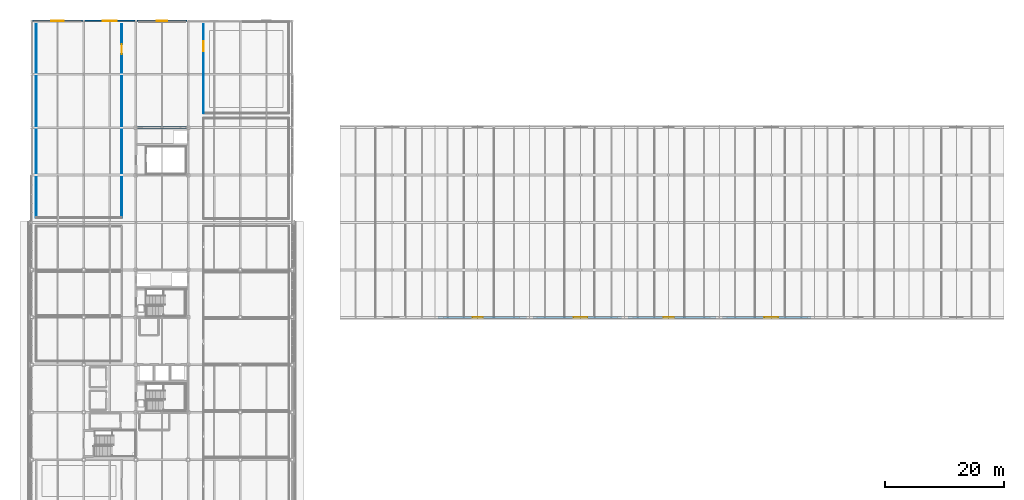
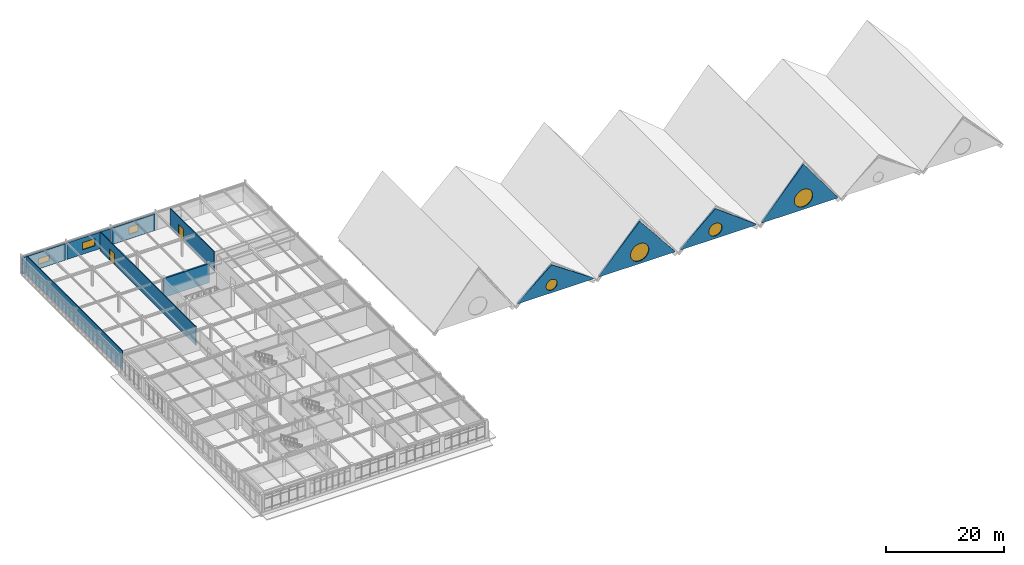
# One storey, part 56 of 64: 11 walls, 7 windows, 2 doors, 9 openings.
"""IFC4 building model written with IfcOpenShell, lengths in metres."""

from ifc_helpers import new_model, si_unit, direction, frame, frame_2d, origin, place, context, subcontext, project, spatial, polyline, rectangle, outline, extrude, material, layer, layer_set, type_object, element, fill, save


model = new_model("IFC4")

# Units and contexts
model_context = context("Model", 3, precision=1e-05, world=origin(), true_north=direction((0.0, 1.0)))
body_context = subcontext(model_context, "Body", "Model", "MODEL_VIEW")
ifc_project = project(units=[si_unit("LENGTHUNIT", "METRE"), si_unit("AREAUNIT", "SQUARE_METRE"), si_unit("VOLUMEUNIT", "CUBIC_METRE"), si_unit("PLANEANGLEUNIT", "RADIAN"), si_unit("MASSUNIT", "GRAM", prefix="KILO")], contexts=[model_context])

# Site, building, storey
site_placement = place(None, origin())
site = spatial("IfcSite", under=ifc_project, at=site_placement, CompositionType="ELEMENT")
building_placement = place(site_placement, origin())
building = spatial("IfcBuilding", under=site, at=building_placement, Name="Zhaolan Boulevard Law Courts", CompositionType="ELEMENT")
storey_placement = place(building_placement, frame((0.0, 0.0, 20.39990234375)))
storey = spatial("IfcBuildingStorey", under=building, at=storey_placement, Name="L04", CompositionType="ELEMENT", Elevation=20.39990234375)

# Wall
ifc_material_1 = material(Name="Concrete C50", Category="concrete")
ifc_layer_1 = layer(ifc_material_1, 0.300048828125)
ifc_layer_set_1 = layer_set([ifc_layer_1])
wall_type_1 = type_object("IfcWallType", Name="CORE SHEAR WALL 300", PredefinedType="SHEAR", material=ifc_layer_set_1)
wall_1_placement = place(storey_placement, frame((26.550048828125, 94.0, 0.0), z_axis=(0.0, 0.0, 1.0), x_axis=(-1.0, 0.0, 0.0)))
element("IfcWall", 1, at=wall_1_placement, inside=storey, type_object=wall_type_1, Name="Core Shear Wall CW-L1-L04N", PredefinedType="SHEAR", context=body_context, shape_type="SweptSolid", body=[
    extrude(rectangle(XDim=9.10009765625, YDim=0.300048828125, at=frame_2d((4.550048828125, 0.0))), origin(), (0.0, 0.0, 1.0), 3.920166015625),
])

# Wall, opening, window
ifc_material_2 = material(Name="Concrete C40", Category="concrete")
ifc_layer_2 = layer(ifc_material_2, 0.280029296875)
ifc_layer_set_2 = layer_set([ifc_layer_2])
wall_type_2 = type_object("IfcWallType", Name="EXT WALL CONCRETE280", PredefinedType="SOLIDWALL", material=ifc_layer_set_2)
wall_2_placement = place(storey_placement, frame((8.654052734375, 112.0, 0.0), z_axis=(0.0, 0.0, 1.0), x_axis=(-1.0, 0.0, 0.0)))
wall_2 = element("IfcWall", 2, at=wall_2_placement, inside=storey, type_object=wall_type_2, Name="Exterior Wall EW-L04-360", PredefinedType="SOLIDWALL", context=body_context, shape_type="SweptSolid", body=[
    extrude(rectangle(XDim=8.508056640625, YDim=0.280029296875, at=frame_2d((4.25390625, 0.0))), origin(), (0.0, 0.0, 1.0), 3.423095703125),
])
opening_1_placement = place(wall_2_placement, frame((3.2041015625, 0.0, 0.949951171875)))
opening_1 = element("IfcOpeningElement", 3, at=opening_1_placement, cuts=wall_2, Name="Opening WIN-L04-213", PredefinedType="OPENING", context=body_context, shape_type="SweptSolid", body=[
    extrude(rectangle(XDim=2.10009765625, YDim=1.199951171875, at=frame_2d((1.050048828125, 0.60009765625))), frame((0.0, 0.14990234375, 0.0), z_axis=(0.0, -1.0, 0.0), x_axis=(1.0, 0.0, 0.0)), (0.0, 0.0, 1.0), 0.300048828125),
])
ifc_material_3 = material(Name="Thermally broken aluminium and low-E glazing", Category="aluminium")
window_type_1 = type_object("IfcWindowType", Name="WINDOW 2100X1200", PartitioningType="DOUBLE_PANEL_VERTICAL", PredefinedType="WINDOW", material=ifc_material_3)
window_1_placement = place(opening_1_placement, origin())
window_1 = element("IfcWindow", 4, at=window_1_placement, inside=storey, type_object=window_type_1, Name="Exterior Window WIN-L04-213", OverallHeight=1.199951171875, OverallWidth=2.10009765625, PartitioningType="SINGLE_PANEL", PredefinedType="WINDOW", context=body_context, shape_type="SweptSolid", body=[
    extrude(rectangle(XDim=2.10009765625, YDim=1.199951171875, at=frame_2d((1.050048828125, 0.60009765625))), frame((0.0, 0.030029296875, 0.0), z_axis=(0.0, -1.0, 0.0), x_axis=(1.0, 0.0, 0.0)), (0.0, 0.0, 1.0), 0.06005859375),
])
fill(opening_1, window_1)

wall_3_placement = place(storey_placement, frame((17.4541015625, 112.0, 0.0), z_axis=(0.0, 0.0, 1.0), x_axis=(-1.0, 0.0, 0.0)))
wall_3 = element("IfcWall", 5, at=wall_3_placement, inside=storey, type_object=wall_type_2, Name="Exterior Wall EW-L04-361", PredefinedType="SOLIDWALL", context=body_context, shape_type="SweptSolid", body=[
    extrude(rectangle(XDim=8.508056640625, YDim=0.280029296875, at=frame_2d((4.25390625, 0.0))), origin(), (0.0, 0.0, 1.0), 3.423095703125),
])
opening_2_placement = place(wall_3_placement, frame((3.053955078125, 0.0, 0.949951171875)))
opening_2 = element("IfcOpeningElement", 6, at=opening_2_placement, cuts=wall_3, Name="Opening WIN-L04-214", PredefinedType="OPENING", context=body_context, shape_type="SweptSolid", body=[
    extrude(rectangle(XDim=2.39990234375, YDim=1.5, at=frame_2d((1.199951171875, 0.75))), frame((0.0, 0.14990234375, 0.0), z_axis=(0.0, -1.0, 0.0), x_axis=(1.0, 0.0, 0.0)), (0.0, 0.0, 1.0), 0.300048828125),
])
ifc_material_4 = material(Name="Thermally broken aluminium and low-E glazing", Category="aluminium")
window_type_2 = type_object("IfcWindowType", Name="WINDOW 2400X1500", PartitioningType="DOUBLE_PANEL_VERTICAL", PredefinedType="WINDOW", material=ifc_material_4)
window_2_placement = place(opening_2_placement, origin())
window_2 = element("IfcWindow", 7, at=window_2_placement, inside=storey, type_object=window_type_2, Name="Exterior Window WIN-L04-214", OverallHeight=1.5, OverallWidth=2.39990234375, PartitioningType="SINGLE_PANEL", PredefinedType="WINDOW", context=body_context, shape_type="SweptSolid", body=[
    extrude(rectangle(XDim=2.39990234375, YDim=1.5, at=frame_2d((1.199951171875, 0.75))), frame((0.0, 0.030029296875, 0.0), z_axis=(0.0, -1.0, 0.0), x_axis=(1.0, 0.0, 0.0)), (0.0, 0.0, 1.0), 0.06005859375),
])
fill(opening_2, window_2)

wall_4_placement = place(storey_placement, frame((26.25390625, 112.0, 0.0), z_axis=(0.0, 0.0, 1.0), x_axis=(-1.0, 0.0, 0.0)))
wall_4 = element("IfcWall", 8, at=wall_4_placement, inside=storey, type_object=wall_type_2, Name="Exterior Wall EW-L04-362", PredefinedType="SOLIDWALL", context=body_context, shape_type="SweptSolid", body=[
    extrude(rectangle(XDim=8.5078125, YDim=0.280029296875, at=frame_2d((4.25390625, 0.0))), origin(), (0.0, 0.0, 1.0), 3.423095703125),
])
opening_3_placement = place(wall_4_placement, frame((3.35400390625, 0.0, 0.949951171875)))
opening_3 = element("IfcOpeningElement", 9, at=opening_3_placement, cuts=wall_4, Name="Opening WIN-L04-215", PredefinedType="OPENING", context=body_context, shape_type="SweptSolid", body=[
    extrude(rectangle(XDim=1.800048828125, YDim=1.5, at=frame_2d((0.89990234375, 0.75))), frame((0.0, 0.14990234375, 0.0), z_axis=(0.0, -1.0, 0.0), x_axis=(1.0, 0.0, 0.0)), (0.0, 0.0, 1.0), 0.300048828125),
])
ifc_material_5 = material(Name="Thermally broken aluminium and low-E glazing", Category="aluminium")
window_type_3 = type_object("IfcWindowType", Name="WINDOW 1800X1500", PartitioningType="DOUBLE_PANEL_VERTICAL", PredefinedType="WINDOW", material=ifc_material_5)
window_3_placement = place(opening_3_placement, origin())
window_3 = element("IfcWindow", 10, at=window_3_placement, inside=storey, type_object=window_type_3, Name="Exterior Window WIN-L04-215", OverallHeight=1.5, OverallWidth=1.800048828125, PartitioningType="SINGLE_PANEL", PredefinedType="WINDOW", context=body_context, shape_type="SweptSolid", body=[
    extrude(rectangle(XDim=1.800048828125, YDim=1.5, at=frame_2d((0.89990234375, 0.75))), frame((0.0, 0.030029296875, 0.0), z_axis=(0.0, -1.0, 0.0), x_axis=(1.0, 0.0, 0.0)), (0.0, 0.0, 1.0), 0.06005859375),
])
fill(opening_3, window_3)

ifc_material_6 = material(Name="Concrete C40", Category="concrete")
ifc_layer_3 = layer(ifc_material_6, 0.340087890625)
ifc_layer_set_3 = layer_set([ifc_layer_3])
wall_type_3 = type_object("IfcWallType", Name="EXT WALL GABLE340", PredefinedType="SOLIDWALL", material=ifc_layer_set_3)
wall_5_placement = place(storey_placement, frame((68.550048828125, 62.0, 0.22021484375), z_axis=(0.0, 0.0, 1.0), x_axis=(1.0, 0.0, 0.0)))
wall_5 = element("IfcWall", 11, at=wall_5_placement, inside=storey, type_object=wall_type_3, Name="Sculpted Concrete Gable Wall GW-T2S", PredefinedType="SOLIDWALL", context=body_context, shape_type="SweptSolid", body=[
    extrude(outline(polyline([(0.0, 0.0), (14.89990234375, 0.0), (14.89990234375, 0.199951171875), (6.705078125, 5.7998046875), (0.0, 0.199951171875), (0.0, 0.0)])), frame((0.0, 0.169921875, 0.0), z_axis=(0.0, -1.0, 0.0), x_axis=(1.0, 0.0, 0.0)), (0.0, 0.0, 1.0), 0.340087890625),
])
opening_4_placement = place(wall_5_placement, frame((5.60498046875, 0.0, 0.550048828125)))
opening_4 = element("IfcOpeningElement", 12, at=opening_4_placement, cuts=wall_5, Name="Opening OC-T2S", PredefinedType="OPENING", context=body_context, shape_type="SweptSolid", body=[
    extrude(outline(polyline([(2.199951171875, 1.10009765625), (2.183349609375, 1.291015625), (2.133544921875, 1.476318359375), (2.052734375, 1.64990234375), (1.942626953125, 1.80712890625), (1.80712890625, 1.942626953125), (1.64990234375, 2.052734375), (1.476318359375, 2.133544921875), (1.291015625, 2.183349609375), (1.10009765625, 2.199951171875), (0.908935546875, 2.183349609375), (0.723876953125, 2.133544921875), (0.550048828125, 2.052734375), (0.392822265625, 1.942626953125), (0.25732421875, 1.80712890625), (0.1474609375, 1.64990234375), (0.06640625, 1.476318359375), (0.0166015625, 1.291015625), (0.0, 1.10009765625), (0.0166015625, 0.908935546875), (0.06640625, 0.723876953125), (0.1474609375, 0.550048828125), (0.25732421875, 0.392822265625), (0.392822265625, 0.25732421875), (0.550048828125, 0.1474609375), (0.723876953125, 0.06640625), (0.908935546875, 0.0166015625), (1.10009765625, 0.0), (1.291015625, 0.0166015625), (1.476318359375, 0.06640625), (1.64990234375, 0.1474609375), (1.80712890625, 0.25732421875), (1.942626953125, 0.392822265625), (2.052734375, 0.550048828125), (2.133544921875, 0.723876953125), (2.183349609375, 0.908935546875), (2.199951171875, 1.10009765625)])), frame((0.0, 0.179931640625, 0.0), z_axis=(0.0, -1.0, 0.0), x_axis=(1.0, 0.0, 0.0)), (0.0, 0.0, 1.0), 0.360107421875),
])
ifc_material_7 = material(Name="Thermally broken aluminium and laminated low-E glass", Category="aluminium")
window_type_4 = type_object("IfcWindowType", Name="OCULUS WINDOW D2200", PartitioningType="SINGLE_PANEL", PredefinedType="WINDOW", material=ifc_material_7)
window_4_placement = place(opening_4_placement, origin())
window_4 = element("IfcWindow", 13, at=window_4_placement, inside=storey, type_object=window_type_4, Name="Circular Gable Oculus Window OC-T2S", OverallHeight=2.199951171875, OverallWidth=2.199951171875, PartitioningType="SINGLE_PANEL", PredefinedType="WINDOW", context=body_context, shape_type="SweptSolid", body=[
    extrude(outline(polyline([(2.199951171875, 1.10009765625), (2.183349609375, 1.291015625), (2.133544921875, 1.476318359375), (2.052734375, 1.64990234375), (1.942626953125, 1.80712890625), (1.80712890625, 1.942626953125), (1.64990234375, 2.052734375), (1.476318359375, 2.133544921875), (1.291015625, 2.183349609375), (1.10009765625, 2.199951171875), (0.908935546875, 2.183349609375), (0.723876953125, 2.133544921875), (0.550048828125, 2.052734375), (0.392822265625, 1.942626953125), (0.25732421875, 1.80712890625), (0.1474609375, 1.64990234375), (0.06640625, 1.476318359375), (0.0166015625, 1.291015625), (0.0, 1.10009765625), (0.0166015625, 0.908935546875), (0.06640625, 0.723876953125), (0.1474609375, 0.550048828125), (0.25732421875, 0.392822265625), (0.392822265625, 0.25732421875), (0.550048828125, 0.1474609375), (0.723876953125, 0.06640625), (0.908935546875, 0.0166015625), (1.10009765625, 0.0), (1.291015625, 0.0166015625), (1.476318359375, 0.06640625), (1.64990234375, 0.1474609375), (1.80712890625, 0.25732421875), (1.942626953125, 0.392822265625), (2.052734375, 0.550048828125), (2.133544921875, 0.723876953125), (2.183349609375, 0.908935546875), (2.199951171875, 1.10009765625)])), frame((0.0, 0.0400390625, 0.0), z_axis=(0.0, -1.0, 0.0), x_axis=(1.0, 0.0, 0.0)), (0.0, 0.0, 1.0), 0.080078125),
])
fill(opening_4, window_4)

wall_6_placement = place(storey_placement, frame((84.550048828125, 62.0, 0.22021484375), z_axis=(0.0, 0.0, 1.0), x_axis=(1.0, 0.0, 0.0)))
wall_6 = element("IfcWall", 14, at=wall_6_placement, inside=storey, type_object=wall_type_3, Name="Sculpted Concrete Gable Wall GW-T3S", PredefinedType="SOLIDWALL", context=body_context, shape_type="SweptSolid", body=[
    extrude(outline(polyline([(0.0, 0.0), (14.89990234375, 0.0), (14.89990234375, 0.199951171875), (8.009033203125, 8.7998046875), (0.0, 0.199951171875), (0.0, 0.0)])), frame((0.0, 0.169921875, 0.0), z_axis=(0.0, -1.0, 0.0), x_axis=(1.0, 0.0, 0.0)), (0.0, 0.0, 1.0), 0.340087890625),
])
opening_5_placement = place(wall_6_placement, frame((6.208984375, 0.0, 0.550048828125)))
opening_5 = element("IfcOpeningElement", 15, at=opening_5_placement, cuts=wall_6, Name="Opening OC-T3S", PredefinedType="OPENING", context=body_context, shape_type="SweptSolid", body=[
    extrude(outline(polyline([(3.60009765625, 1.800048828125), (3.57275390625, 2.112548828125), (3.491455078125, 2.41552734375), (3.35888671875, 2.699951171875), (3.178955078125, 2.95703125), (2.95703125, 3.178955078125), (2.699951171875, 3.35888671875), (2.41552734375, 3.491455078125), (2.112548828125, 3.57275390625), (1.800048828125, 3.60009765625), (1.487548828125, 3.57275390625), (1.184326171875, 3.491455078125), (0.89990234375, 3.35888671875), (0.64306640625, 3.178955078125), (0.421142578125, 2.95703125), (0.2412109375, 2.699951171875), (0.108642578125, 2.41552734375), (0.02734375, 2.112548828125), (0.0, 1.800048828125), (0.02734375, 1.487548828125), (0.108642578125, 1.184326171875), (0.2412109375, 0.89990234375), (0.421142578125, 0.64306640625), (0.64306640625, 0.421142578125), (0.89990234375, 0.2412109375), (1.184326171875, 0.108642578125), (1.487548828125, 0.02734375), (1.800048828125, 0.0), (2.112548828125, 0.02734375), (2.41552734375, 0.108642578125), (2.699951171875, 0.2412109375), (2.95703125, 0.421142578125), (3.178955078125, 0.64306640625), (3.35888671875, 0.89990234375), (3.491455078125, 1.184326171875), (3.57275390625, 1.487548828125), (3.60009765625, 1.800048828125)])), frame((0.0, 0.179931640625, 0.0), z_axis=(0.0, -1.0, 0.0), x_axis=(1.0, 0.0, 0.0)), (0.0, 0.0, 1.0), 0.360107421875),
])
ifc_material_8 = material(Name="Thermally broken aluminium and laminated low-E glass", Category="aluminium")
window_type_5 = type_object("IfcWindowType", Name="OCULUS WINDOW D3600", PartitioningType="SINGLE_PANEL", PredefinedType="WINDOW", material=ifc_material_8)
window_5_placement = place(opening_5_placement, origin())
window_5 = element("IfcWindow", 16, at=window_5_placement, inside=storey, type_object=window_type_5, Name="Circular Gable Oculus Window OC-T3S", OverallHeight=3.60009765625, OverallWidth=3.60009765625, PartitioningType="SINGLE_PANEL", PredefinedType="WINDOW", context=body_context, shape_type="SweptSolid", body=[
    extrude(outline(polyline([(3.60009765625, 1.800048828125), (3.57275390625, 2.112548828125), (3.491455078125, 2.41552734375), (3.35888671875, 2.699951171875), (3.178955078125, 2.95703125), (2.95703125, 3.178955078125), (2.699951171875, 3.35888671875), (2.41552734375, 3.491455078125), (2.112548828125, 3.57275390625), (1.800048828125, 3.60009765625), (1.487548828125, 3.57275390625), (1.184326171875, 3.491455078125), (0.89990234375, 3.35888671875), (0.64306640625, 3.178955078125), (0.421142578125, 2.95703125), (0.2412109375, 2.699951171875), (0.108642578125, 2.41552734375), (0.02734375, 2.112548828125), (0.0, 1.800048828125), (0.02734375, 1.487548828125), (0.108642578125, 1.184326171875), (0.2412109375, 0.89990234375), (0.421142578125, 0.64306640625), (0.64306640625, 0.421142578125), (0.89990234375, 0.2412109375), (1.184326171875, 0.108642578125), (1.487548828125, 0.02734375), (1.800048828125, 0.0), (2.112548828125, 0.02734375), (2.41552734375, 0.108642578125), (2.699951171875, 0.2412109375), (2.95703125, 0.421142578125), (3.178955078125, 0.64306640625), (3.35888671875, 0.89990234375), (3.491455078125, 1.184326171875), (3.57275390625, 1.487548828125), (3.60009765625, 1.800048828125)])), frame((0.0, 0.0400390625, 0.0), z_axis=(0.0, -1.0, 0.0), x_axis=(1.0, 0.0, 0.0)), (0.0, 0.0, 1.0), 0.080078125),
])
fill(opening_5, window_5)

wall_7_placement = place(storey_placement, frame((100.550048828125, 62.0, 0.22021484375), z_axis=(0.0, 0.0, 1.0), x_axis=(1.0, 0.0, 0.0)))
wall_7 = element("IfcWall", 17, at=wall_7_placement, inside=storey, type_object=wall_type_3, Name="Sculpted Concrete Gable Wall GW-T4S", PredefinedType="SOLIDWALL", context=body_context, shape_type="SweptSolid", body=[
    extrude(outline(polyline([(0.0, 0.0), (14.89990234375, 0.0), (14.89990234375, 0.199951171875), (6.89111328125, 6.199951171875), (0.0, 0.199951171875), (0.0, 0.0)])), frame((0.0, 0.169921875, 0.0), z_axis=(0.0, -1.0, 0.0), x_axis=(1.0, 0.0, 0.0)), (0.0, 0.0, 1.0), 0.340087890625),
])
opening_6_placement = place(wall_7_placement, frame((5.591064453125, 0.0, 0.550048828125)))
opening_6 = element("IfcOpeningElement", 18, at=opening_6_placement, cuts=wall_7, Name="Opening OC-T4S", PredefinedType="OPENING", context=body_context, shape_type="SweptSolid", body=[
    extrude(outline(polyline([(2.60009765625, 1.300048828125), (2.580322265625, 1.525634765625), (2.521484375, 1.74462890625), (2.42578125, 1.949951171875), (2.2958984375, 2.1357421875), (2.1357421875, 2.2958984375), (1.949951171875, 2.42578125), (1.74462890625, 2.521484375), (1.525634765625, 2.580322265625), (1.300048828125, 2.60009765625), (1.07421875, 2.580322265625), (0.85546875, 2.521484375), (0.64990234375, 2.42578125), (0.46435546875, 2.2958984375), (0.30419921875, 2.1357421875), (0.174072265625, 1.949951171875), (0.078369140625, 1.74462890625), (0.019775390625, 1.525634765625), (0.0, 1.300048828125), (0.019775390625, 1.07421875), (0.078369140625, 0.85546875), (0.174072265625, 0.64990234375), (0.30419921875, 0.46435546875), (0.46435546875, 0.30419921875), (0.64990234375, 0.174072265625), (0.85546875, 0.078369140625), (1.07421875, 0.019775390625), (1.300048828125, 0.0), (1.525634765625, 0.019775390625), (1.74462890625, 0.078369140625), (1.949951171875, 0.174072265625), (2.1357421875, 0.30419921875), (2.2958984375, 0.46435546875), (2.42578125, 0.64990234375), (2.521484375, 0.85546875), (2.580322265625, 1.07421875), (2.60009765625, 1.300048828125)])), frame((0.0, 0.179931640625, 0.0), z_axis=(0.0, -1.0, 0.0), x_axis=(1.0, 0.0, 0.0)), (0.0, 0.0, 1.0), 0.360107421875),
])
ifc_material_9 = material(Name="Thermally broken aluminium and laminated low-E glass", Category="aluminium")
window_type_6 = type_object("IfcWindowType", Name="OCULUS WINDOW D2600", PartitioningType="SINGLE_PANEL", PredefinedType="WINDOW", material=ifc_material_9)
window_6_placement = place(opening_6_placement, origin())
window_6 = element("IfcWindow", 19, at=window_6_placement, inside=storey, type_object=window_type_6, Name="Circular Gable Oculus Window OC-T4S", OverallHeight=2.60009765625, OverallWidth=2.60009765625, PartitioningType="SINGLE_PANEL", PredefinedType="WINDOW", context=body_context, shape_type="SweptSolid", body=[
    extrude(outline(polyline([(2.60009765625, 1.300048828125), (2.580322265625, 1.525634765625), (2.521484375, 1.74462890625), (2.42578125, 1.949951171875), (2.2958984375, 2.1357421875), (2.1357421875, 2.2958984375), (1.949951171875, 2.42578125), (1.74462890625, 2.521484375), (1.525634765625, 2.580322265625), (1.300048828125, 2.60009765625), (1.07421875, 2.580322265625), (0.85546875, 2.521484375), (0.64990234375, 2.42578125), (0.46435546875, 2.2958984375), (0.30419921875, 2.1357421875), (0.174072265625, 1.949951171875), (0.078369140625, 1.74462890625), (0.019775390625, 1.525634765625), (0.0, 1.300048828125), (0.019775390625, 1.07421875), (0.078369140625, 0.85546875), (0.174072265625, 0.64990234375), (0.30419921875, 0.46435546875), (0.46435546875, 0.30419921875), (0.64990234375, 0.174072265625), (0.85546875, 0.078369140625), (1.07421875, 0.019775390625), (1.300048828125, 0.0), (1.525634765625, 0.019775390625), (1.74462890625, 0.078369140625), (1.949951171875, 0.174072265625), (2.1357421875, 0.30419921875), (2.2958984375, 0.46435546875), (2.42578125, 0.64990234375), (2.521484375, 0.85546875), (2.580322265625, 1.07421875), (2.60009765625, 1.300048828125)])), frame((0.0, 0.0400390625, 0.0), z_axis=(0.0, -1.0, 0.0), x_axis=(1.0, 0.0, 0.0)), (0.0, 0.0, 1.0), 0.080078125),
])
fill(opening_6, window_6)

wall_8_placement = place(storey_placement, frame((116.550048828125, 62.0, 0.22021484375), z_axis=(0.0, 0.0, 1.0), x_axis=(1.0, 0.0, 0.0)))
wall_8 = element("IfcWall", 20, at=wall_8_placement, inside=storey, type_object=wall_type_3, Name="Sculpted Concrete Gable Wall GW-T5S", PredefinedType="SOLIDWALL", context=body_context, shape_type="SweptSolid", body=[
    extrude(outline(polyline([(0.0, 0.0), (14.89990234375, 0.0), (14.89990234375, 0.199951171875), (8.195068359375, 9.39990234375), (0.0, 0.199951171875), (0.0, 0.0)])), frame((0.0, 0.169921875, 0.0), z_axis=(0.0, -1.0, 0.0), x_axis=(1.0, 0.0, 0.0)), (0.0, 0.0, 1.0), 0.340087890625),
])
opening_7_placement = place(wall_8_placement, frame((6.39501953125, 0.0, 0.550048828125)))
opening_7 = element("IfcOpeningElement", 21, at=opening_7_placement, cuts=wall_8, Name="Opening OC-T5S", PredefinedType="OPENING", context=body_context, shape_type="SweptSolid", body=[
    extrude(outline(polyline([(3.60009765625, 1.800048828125), (3.57275390625, 2.112548828125), (3.491455078125, 2.41552734375), (3.35888671875, 2.699951171875), (3.178955078125, 2.95703125), (2.95703125, 3.178955078125), (2.699951171875, 3.35888671875), (2.41552734375, 3.491455078125), (2.112548828125, 3.57275390625), (1.800048828125, 3.60009765625), (1.487548828125, 3.57275390625), (1.184326171875, 3.491455078125), (0.89990234375, 3.35888671875), (0.64306640625, 3.178955078125), (0.421142578125, 2.95703125), (0.2412109375, 2.699951171875), (0.108642578125, 2.41552734375), (0.02734375, 2.112548828125), (0.0, 1.800048828125), (0.02734375, 1.487548828125), (0.108642578125, 1.184326171875), (0.2412109375, 0.89990234375), (0.421142578125, 0.64306640625), (0.64306640625, 0.421142578125), (0.89990234375, 0.2412109375), (1.184326171875, 0.108642578125), (1.487548828125, 0.02734375), (1.800048828125, 0.0), (2.112548828125, 0.02734375), (2.41552734375, 0.108642578125), (2.699951171875, 0.2412109375), (2.95703125, 0.421142578125), (3.178955078125, 0.64306640625), (3.35888671875, 0.89990234375), (3.491455078125, 1.184326171875), (3.57275390625, 1.487548828125), (3.60009765625, 1.800048828125)])), frame((0.0, 0.179931640625, 0.0), z_axis=(0.0, -1.0, 0.0), x_axis=(1.0, 0.0, 0.0)), (0.0, 0.0, 1.0), 0.360107421875),
])
window_7_placement = place(opening_7_placement, origin())
window_7 = element("IfcWindow", 22, at=window_7_placement, inside=storey, type_object=window_type_5, Name="Circular Gable Oculus Window OC-T5S", OverallHeight=3.60009765625, OverallWidth=3.60009765625, PartitioningType="SINGLE_PANEL", PredefinedType="WINDOW", context=body_context, shape_type="SweptSolid", body=[
    extrude(outline(polyline([(3.60009765625, 1.800048828125), (3.57275390625, 2.112548828125), (3.491455078125, 2.41552734375), (3.35888671875, 2.699951171875), (3.178955078125, 2.95703125), (2.95703125, 3.178955078125), (2.699951171875, 3.35888671875), (2.41552734375, 3.491455078125), (2.112548828125, 3.57275390625), (1.800048828125, 3.60009765625), (1.487548828125, 3.57275390625), (1.184326171875, 3.491455078125), (0.89990234375, 3.35888671875), (0.64306640625, 3.178955078125), (0.421142578125, 2.95703125), (0.2412109375, 2.699951171875), (0.108642578125, 2.41552734375), (0.02734375, 2.112548828125), (0.0, 1.800048828125), (0.02734375, 1.487548828125), (0.108642578125, 1.184326171875), (0.2412109375, 0.89990234375), (0.421142578125, 0.64306640625), (0.64306640625, 0.421142578125), (0.89990234375, 0.2412109375), (1.184326171875, 0.108642578125), (1.487548828125, 0.02734375), (1.800048828125, 0.0), (2.112548828125, 0.02734375), (2.41552734375, 0.108642578125), (2.699951171875, 0.2412109375), (2.95703125, 0.421142578125), (3.178955078125, 0.64306640625), (3.35888671875, 0.89990234375), (3.491455078125, 1.184326171875), (3.57275390625, 1.487548828125), (3.60009765625, 1.800048828125)])), frame((0.0, 0.0400390625, 0.0), z_axis=(0.0, -1.0, 0.0), x_axis=(1.0, 0.0, 0.0)), (0.0, 0.0, 1.0), 0.080078125),
])
fill(opening_7, window_7)

# Wall
ifc_material_10 = material(Name="Fire-rated gypsum stud partition")
ifc_layer_4 = layer(ifc_material_10, 0.159912109375)
ifc_layer_set_4 = layer_set([ifc_layer_4])
wall_type_4 = type_object("IfcWallType", Name="PART WALL CHAMB160", PredefinedType="PARTITIONING", material=ifc_layer_set_4)
wall_9_placement = place(storey_placement, frame((0.800048828125, 111.39990234375, 0.0), z_axis=(0.0, 0.0, 1.0), x_axis=(0.0, -1.0, 0.0)))
element("IfcWall", 23, at=wall_9_placement, inside=storey, type_object=wall_type_4, Name="Interior Partition PW-L04-581", PredefinedType="PARTITIONING", context=body_context, shape_type="SweptSolid", body=[
    extrude(rectangle(XDim=32.599853515625, YDim=0.159912109375, at=frame_2d((16.2998046875, 0.0))), origin(), (0.0, 0.0, 1.0), 3.920166015625),
])

# Wall, opening, door
wall_10_placement = place(storey_placement, frame((15.199951171875, 78.800048828125, 0.0), z_axis=(0.0, 0.0, 1.0), x_axis=(0.0, 1.0, 0.0)))
wall_10 = element("IfcWall", 24, at=wall_10_placement, inside=storey, type_object=wall_type_4, Name="Interior Partition PW-L04-582", PredefinedType="PARTITIONING", context=body_context, shape_type="SweptSolid", body=[
    extrude(rectangle(XDim=32.599853515625, YDim=0.159912109375, at=frame_2d((16.2998046875, 0.0))), origin(), (0.0, 0.0, 1.0), 3.920166015625),
])
opening_8_placement = place(wall_10_placement, frame((27.570068359375, 0.0, 0.0)))
opening_8 = element("IfcOpeningElement", 25, at=opening_8_placement, cuts=wall_10, Name="Opening ID-L04-181", PredefinedType="OPENING", context=body_context, shape_type="SweptSolid", body=[
    extrude(rectangle(XDim=1.699951171875, YDim=2.300048828125, at=frame_2d((0.85009765625, 1.14990234375))), frame((0.0, 0.08984375, 0.0), z_axis=(0.0, -1.0, 0.0), x_axis=(1.0, 0.0, 0.0)), (0.0, 0.0, 1.0), 0.179931640625),
])
ifc_material_11 = material(Name="Solid-core acoustic oak veneer door")
door_type = type_object("IfcDoorType", Name="LIB DOUBLE 1700X2300", OperationType="DOUBLE_DOOR_SINGLE_SWING", PredefinedType="DOOR", material=ifc_material_11)
door_1_placement = place(opening_8_placement, origin())
door_1 = element("IfcDoor", 26, at=door_1_placement, inside=storey, type_object=door_type, Name="Door ID-L04-181 (Law Library Gable Scholar Hall)", OperationType="DOUBLE_DOOR_SINGLE_SWING", OverallHeight=2.300048828125, OverallWidth=1.699951171875, PredefinedType="DOOR", context=body_context, shape_type="SweptSolid", body=[
    extrude(rectangle(XDim=1.699951171875, YDim=2.300048828125, at=frame_2d((0.85009765625, 1.14990234375))), frame((0.0, 0.02490234375, 0.0), z_axis=(0.0, -1.0, 0.0), x_axis=(1.0, 0.0, 0.0)), (0.0, 0.0, 1.0), 0.050048828125),
])
fill(opening_8, door_1)

wall_11_placement = place(storey_placement, frame((29.0, 111.39990234375, 0.0), z_axis=(0.0, 0.0, 1.0), x_axis=(0.0, -1.0, 0.0)))
wall_11 = element("IfcWall", 27, at=wall_11_placement, inside=storey, type_object=wall_type_4, Name="Interior Partition PW-L04-588", PredefinedType="PARTITIONING", context=body_context, shape_type="SweptSolid", body=[
    extrude(rectangle(XDim=15.0, YDim=0.159912109375, at=frame_2d((7.5, 0.0))), origin(), (0.0, 0.0, 1.0), 3.920166015625),
])
opening_9_placement = place(wall_11_placement, frame((2.840087890625, 0.0, 0.0)))
opening_9 = element("IfcOpeningElement", 28, at=opening_9_placement, cuts=wall_11, Name="Opening ID-L04-183", PredefinedType="OPENING", context=body_context, shape_type="SweptSolid", body=[
    extrude(rectangle(XDim=1.699951171875, YDim=2.300048828125, at=frame_2d((0.85009765625, 1.14990234375))), frame((0.0, 0.08984375, 0.0), z_axis=(0.0, -1.0, 0.0), x_axis=(1.0, 0.0, 0.0)), (0.0, 0.0, 1.0), 0.179931640625),
])
door_2_placement = place(opening_9_placement, origin())
door_2 = element("IfcDoor", 29, at=door_2_placement, inside=storey, type_object=door_type, Name="Door ID-L04-183 (Judicial Gazetteer Archive Stacks)", OperationType="DOUBLE_DOOR_SINGLE_SWING", OverallHeight=2.300048828125, OverallWidth=1.699951171875, PredefinedType="DOOR", context=body_context, shape_type="SweptSolid", body=[
    extrude(rectangle(XDim=1.699951171875, YDim=2.300048828125, at=frame_2d((0.85009765625, 1.14990234375))), frame((0.0, 0.02490234375, 0.0), z_axis=(0.0, -1.0, 0.0), x_axis=(1.0, 0.0, 0.0)), (0.0, 0.0, 1.0), 0.050048828125),
])
fill(opening_9, door_2)

save(model, "model.ifc")
